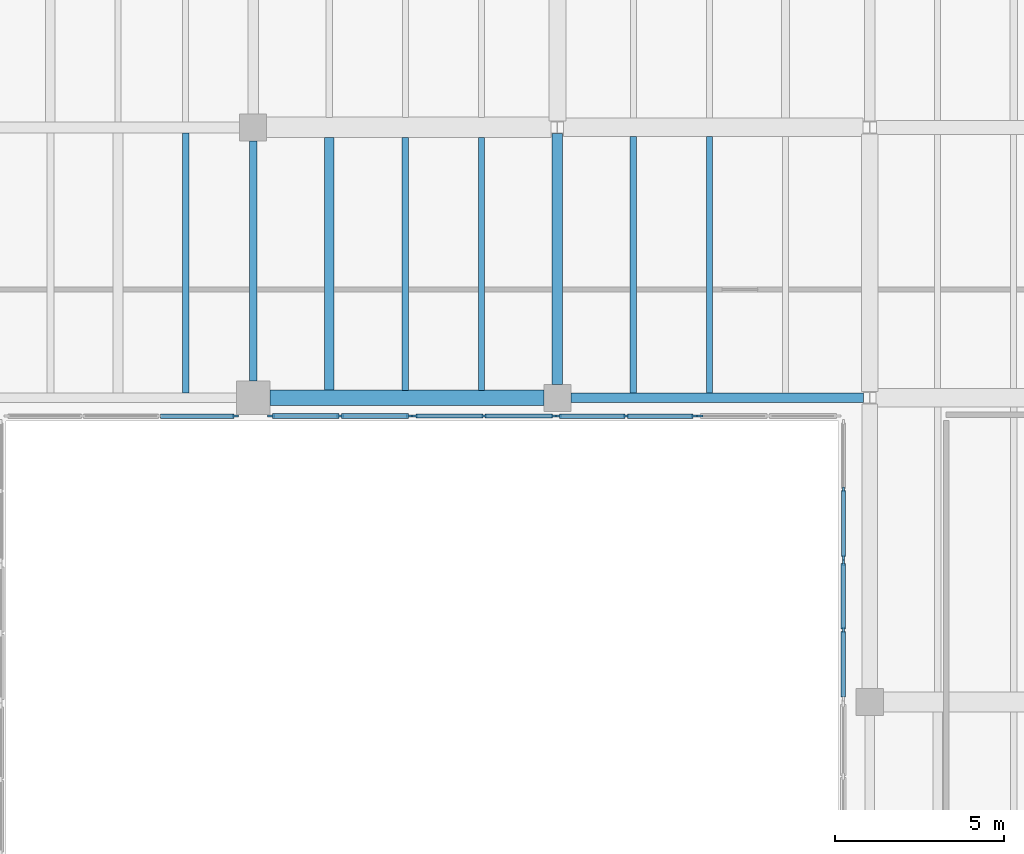
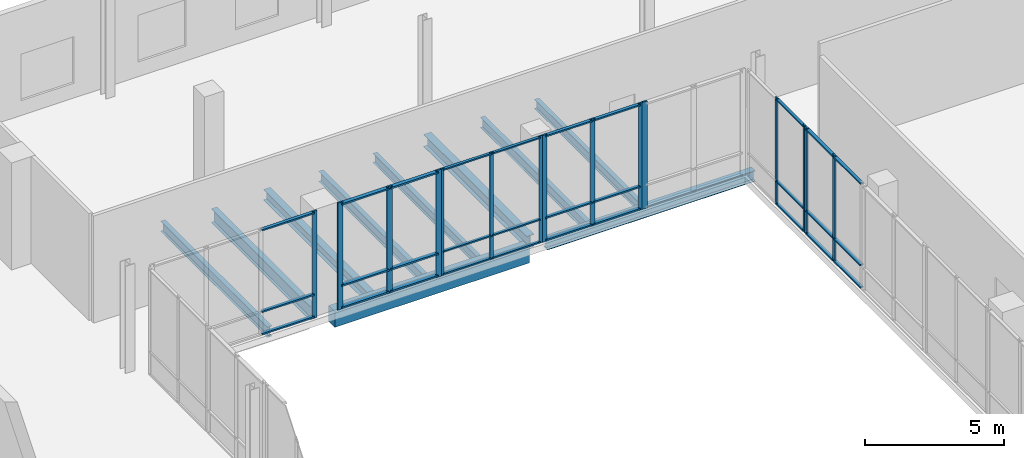
# One storey, part 43 of 73: 45 members, 10 beams, 7 elements without a shape of their own.
"""IFC4 building model written with IfcOpenShell, lengths in metres."""

from ifc_helpers import new_model, si_unit, direction, frame, origin, origin_2d, place, context, subcontext, project, spatial, rectangle, i_section, extrude, material, material_profile, profile_set, type_object, element, aggregate, save


model = new_model("IFC4")

# Units and contexts
model_context = context("Model", 3, precision=1e-05, world=origin(), true_north=direction((0.0, 1.0)))
body_context = subcontext(model_context, "Body", "Model", "MODEL_VIEW")
ifc_project = project(units=[si_unit("LENGTHUNIT", "METRE"), si_unit("AREAUNIT", "SQUARE_METRE"), si_unit("VOLUMEUNIT", "CUBIC_METRE"), si_unit("PLANEANGLEUNIT", "RADIAN"), si_unit("MASSUNIT", "GRAM", prefix="KILO")], contexts=[model_context])

# Site, building, storey
site_placement = place(None, origin())
site = spatial("IfcSite", under=ifc_project, at=site_placement, CompositionType="ELEMENT")
building_placement = place(site_placement, origin())
building = spatial("IfcBuilding", under=site, at=building_placement, Name="Trimount Lyric Opera House", CompositionType="ELEMENT")
storey_placement = place(building_placement, frame((0.0, 0.0, 10.0)))
storey = spatial("IfcBuildingStorey", under=building, at=storey_placement, Name="L02", CompositionType="ELEMENT", Elevation=10.0)

# Beams
ifc_material_1 = material(Name="Steel ASTM A992 Grade 50", Category="steel")
ifc_material_profile_1 = material_profile(ifc_material_1, i_section(OverallWidth=0.22998046875, OverallDepth=0.616943359375, WebThickness=0.01318359375, FlangeThickness=0.022216796875, FilletRadius=0.013916015625, at=origin_2d()), Name="W24X94")
ifc_profile_set_1 = profile_set([ifc_material_profile_1], Name="Steel ASTM A992 Grade 50")
beam_type_1 = type_object("IfcBeamType", Name="B-11", PredefinedType="BEAM", material=ifc_profile_set_1)
beam_1_placement = place(storey_placement, frame((130.0, 102.5, -0.598388671875), z_axis=(0.0, 1.0, 0.0), x_axis=(-1.0, 0.0, 0.0)))
element("IfcBeam", 1, at=beam_1_placement, inside=storey, type_object=beam_type_1, Name="L02 girder Y-0905", PredefinedType="BEAM", context=body_context, shape_type="SweptSolid", body=[
    extrude(i_section(OverallWidth=0.22998046875, OverallDepth=0.616943359375, WebThickness=0.01318359375, FlangeThickness=0.022216796875, FilletRadius=0.013916015625, at=origin_2d()), origin(), (0.0, 0.0, 1.0), 7.10009765625),
])
ifc_material_2 = material(Name="Steel ASTM A992 Grade 50", Category="steel")
ifc_material_profile_2 = material_profile(ifc_material_2, i_section(OverallWidth=0.31201171875, OverallDepth=0.5458984375, WebThickness=0.013916015625, FlangeThickness=0.022216796875, FilletRadius=0.014892578125, at=origin_2d()), Name="W21X111")
ifc_profile_set_2 = profile_set([ifc_material_profile_2], Name="Steel ASTM A992 Grade 50")
beam_type_2 = type_object("IfcBeamType", Name="B-12", PredefinedType="BEAM", material=ifc_profile_set_2)
beam_2_placement = place(storey_placement, frame((139.0, 102.39990234375, -0.56298828125), z_axis=(0.0, 1.0, 0.0), x_axis=(-1.0, 0.0, 0.0)))
element("IfcBeam", 2, at=beam_2_placement, inside=storey, type_object=beam_type_2, Name="L02 girder Y-0907", PredefinedType="BEAM", context=body_context, shape_type="SweptSolid", body=[
    extrude(i_section(OverallWidth=0.31201171875, OverallDepth=0.5458984375, WebThickness=0.013916015625, FlangeThickness=0.022216796875, FilletRadius=0.014892578125, at=origin_2d()), origin(), (0.0, 0.0, 1.0), 7.416015625),
])
ifc_material_3 = material(Name="Steel ASTM A992 Grade 50", Category="steel")
ifc_material_profile_3 = material_profile(ifc_material_3, i_section(OverallWidth=0.281982421875, OverallDepth=0.467041015625, WebThickness=0.01220703125, FlangeThickness=0.01953125, FilletRadius=0.012939453125, at=origin_2d()), Name="W18X86")
ifc_profile_set_3 = profile_set([ifc_material_profile_3], Name="Steel ASTM A992 Grade 50")
beam_type_3 = type_object("IfcBeamType", Name="J-03", PredefinedType="BEAM", material=ifc_profile_set_3)
beam_3_placement = place(storey_placement, frame((132.25, 102.220947265625, -0.5234375), z_axis=(0.0, 1.0, 0.0), x_axis=(-1.0, 0.0, 0.0)))
element("IfcBeam", 3, at=beam_3_placement, inside=storey, type_object=beam_type_3, Name="L02 composite floor joist 0932", PredefinedType="BEAM", context=body_context, shape_type="SweptSolid", body=[
    extrude(i_section(OverallWidth=0.281982421875, OverallDepth=0.467041015625, WebThickness=0.01220703125, FlangeThickness=0.01953125, FilletRadius=0.012939453125, at=origin_2d()), origin(), (0.0, 0.0, 1.0), 7.483154296875),
])
ifc_material_4 = material(Name="Steel ASTM A992 Grade 50", Category="steel")
ifc_material_profile_4 = material_profile(ifc_material_4, i_section(OverallWidth=0.19091796875, OverallDepth=0.45703125, WebThickness=0.009033203125, FlangeThickness=0.014404296875, FilletRadius=0.010986328125, at=origin_2d()), Name="W18X50")
ifc_profile_set_4 = profile_set([ifc_material_profile_4], Name="Steel ASTM A992 Grade 50")
beam_type_4 = type_object("IfcBeamType", Name="J-04", PredefinedType="BEAM", material=ifc_profile_set_4)
beam_4_placement = place(storey_placement, frame((128.0, 102.136962890625, -0.5185546875), z_axis=(0.0, 1.0, 0.0), x_axis=(-1.0, 0.0, 0.0)))
element("IfcBeam", 4, at=beam_4_placement, inside=storey, type_object=beam_type_4, Name="L02 composite floor joist 0928", PredefinedType="BEAM", context=body_context, shape_type="SweptSolid", body=[
    extrude(i_section(OverallWidth=0.19091796875, OverallDepth=0.45703125, WebThickness=0.009033203125, FlangeThickness=0.014404296875, FilletRadius=0.010986328125, at=origin_2d()), origin(), (0.0, 0.0, 1.0), 7.703125),
])
beam_5_placement = place(storey_placement, frame((134.5, 102.220947265625, -0.5185546875), z_axis=(0.0, 1.0, 0.0), x_axis=(-1.0, 0.0, 0.0)))
element("IfcBeam", 5, at=beam_5_placement, inside=storey, type_object=beam_type_4, Name="L02 composite floor joist 0933", PredefinedType="BEAM", context=body_context, shape_type="SweptSolid", body=[
    extrude(i_section(OverallWidth=0.19091796875, OverallDepth=0.45703125, WebThickness=0.009033203125, FlangeThickness=0.014404296875, FilletRadius=0.010986328125, at=origin_2d()), origin(), (0.0, 0.0, 1.0), 7.483154296875),
])
beam_6_placement = place(storey_placement, frame((141.25, 102.136962890625, -0.5185546875), z_axis=(0.0, 1.0, 0.0), x_axis=(-1.0, 0.0, 0.0)))
element("IfcBeam", 6, at=beam_6_placement, inside=storey, type_object=beam_type_4, Name="L02 composite floor joist 0938", PredefinedType="BEAM", context=body_context, shape_type="SweptSolid", body=[
    extrude(i_section(OverallWidth=0.19091796875, OverallDepth=0.45703125, WebThickness=0.009033203125, FlangeThickness=0.014404296875, FilletRadius=0.010986328125, at=origin_2d()), origin(), (0.0, 0.0, 1.0), 7.592041015625),
])
ifc_material_5 = material(Name="Steel ASTM A992 Grade 50", Category="steel")
ifc_material_profile_5 = material_profile(ifc_material_5, i_section(OverallWidth=0.180908203125, OverallDepth=0.4169921875, WebThickness=0.010986328125, FlangeThickness=0.018310546875, FilletRadius=0.010986328125, at=origin_2d()), Name="W16X57")
ifc_profile_set_5 = profile_set([ifc_material_profile_5], Name="Steel ASTM A992 Grade 50")
beam_type_5 = type_object("IfcBeamType", Name="J-05", PredefinedType="BEAM", material=ifc_profile_set_5)
beam_7_placement = place(storey_placement, frame((136.75, 102.220947265625, -0.49853515625), z_axis=(0.0, 1.0, 0.0), x_axis=(-1.0, 0.0, 0.0)))
element("IfcBeam", 7, at=beam_7_placement, inside=storey, type_object=beam_type_5, Name="L02 composite floor joist 0934", PredefinedType="BEAM", context=body_context, shape_type="SweptSolid", body=[
    extrude(i_section(OverallWidth=0.180908203125, OverallDepth=0.4169921875, WebThickness=0.010986328125, FlangeThickness=0.018310546875, FilletRadius=0.010986328125, at=origin_2d()), origin(), (0.0, 0.0, 1.0), 7.483154296875),
])
beam_8_placement = place(storey_placement, frame((143.5, 102.136962890625, -0.49853515625), z_axis=(0.0, 1.0, 0.0), x_axis=(-1.0, 0.0, 0.0)))
element("IfcBeam", 8, at=beam_8_placement, inside=storey, type_object=beam_type_5, Name="L02 composite floor joist 0939", PredefinedType="BEAM", context=body_context, shape_type="SweptSolid", body=[
    extrude(i_section(OverallWidth=0.180908203125, OverallDepth=0.4169921875, WebThickness=0.010986328125, FlangeThickness=0.018310546875, FilletRadius=0.010986328125, at=origin_2d()), origin(), (0.0, 0.0, 1.0), 7.592041015625),
])

# Curtain wall, member
ifc_material_6 = material(Name="Thermally Broken Aluminium and Low-E Glass", Category="aluminium")
curtain_wall_type = type_object("IfcCurtainWallType", Name="CW-03", PredefinedType="NOTDEFINED", material=ifc_material_6)
curtain_wall_1_placement = place(storey_placement, origin())
curtain_wall_1 = element("IfcCurtainWall", 9, at=curtain_wall_1_placement, inside=storey, type_object=curtain_wall_type, Name="L02 curtain wall 234", PredefinedType="NOTDEFINED")
ifc_material_7 = material(Name="Anodised Aluminium 6063-T6", Category="aluminium")
ifc_material_profile_6 = material_profile(ifc_material_7, rectangle(XDim=0.070068359375, YDim=0.219970703125, at=origin_2d()), Name="ALU-MULL-70X220")
ifc_profile_set_6 = profile_set([ifc_material_profile_6], Name="Anodised Aluminium 6063-T6")
member_type_1 = type_object("IfcMemberType", Name="ML-01", PredefinedType="MULLION", material=ifc_profile_set_6)
member_1_placement = place(storey_placement, frame((143.195068359375, 101.4599609375, 0.0), z_axis=(0.0, 0.0, 1.0), x_axis=(0.0, -1.0, 0.0)))
member_1 = element("IfcMember", 10, at=member_1_placement, type_object=member_type_1, Name="CW-03 mullion 3", PredefinedType="MULLION", context=body_context, shape_type="SweptSolid", body=[
    extrude(rectangle(XDim=0.070068359375, YDim=0.219970703125, at=origin_2d()), origin(), (0.0, 0.0, 1.0), 4.7099609375),
])
aggregate(curtain_wall_1, [member_1])

# Curtain wall, members
curtain_wall_2_placement = place(storey_placement, origin())
curtain_wall_2 = element("IfcCurtainWall", 11, at=curtain_wall_2_placement, inside=storey, type_object=curtain_wall_type, Name="L02 curtain wall 237", PredefinedType="NOTDEFINED")
member_2_placement = place(storey_placement, frame((134.625, 101.4599609375, 0.0), z_axis=(0.0, 0.0, 1.0), x_axis=(0.0, -1.0, 0.0)))
member_2 = element("IfcMember", 12, at=member_2_placement, type_object=member_type_1, Name="CW-03 mullion 1", PredefinedType="MULLION", context=body_context, shape_type="SweptSolid", body=[
    extrude(rectangle(XDim=0.070068359375, YDim=0.219970703125, at=origin_2d()), origin(), (0.0, 0.0, 1.0), 4.7099609375),
])
member_3_placement = place(storey_placement, frame((132.580078125, 101.4599609375, 0.0), z_axis=(0.0, 0.0, 1.0), x_axis=(0.0, -1.0, 0.0)))
member_3 = element("IfcMember", 13, at=member_3_placement, type_object=member_type_1, Name="CW-03 mullion 2", PredefinedType="MULLION", context=body_context, shape_type="SweptSolid", body=[
    extrude(rectangle(XDim=0.070068359375, YDim=0.219970703125, at=origin_2d()), origin(), (0.0, 0.0, 1.0), 4.7099609375),
])
member_4_placement = place(storey_placement, frame((130.534912109375, 101.4599609375, 0.0), z_axis=(0.0, 0.0, 1.0), x_axis=(0.0, -1.0, 0.0)))
member_4 = element("IfcMember", 14, at=member_4_placement, type_object=member_type_1, Name="CW-03 mullion 3", PredefinedType="MULLION", context=body_context, shape_type="SweptSolid", body=[
    extrude(rectangle(XDim=0.070068359375, YDim=0.219970703125, at=origin_2d()), origin(), (0.0, 0.0, 1.0), 4.7099609375),
])

curtain_wall_3_placement = place(storey_placement, origin())
curtain_wall_3 = element("IfcCurtainWall", 15, at=curtain_wall_3_placement, inside=storey, type_object=curtain_wall_type, Name="L02 curtain wall 232", PredefinedType="NOTDEFINED")
ifc_material_8 = material(Name="Anodised Aluminium 6063-T6", Category="aluminium")
ifc_material_profile_7 = material_profile(ifc_material_8, rectangle(XDim=0.06494140625, YDim=0.179931640625, at=origin_2d()), Name="ALU-MULL-65X180")
ifc_profile_set_7 = profile_set([ifc_material_profile_7], Name="Anodised Aluminium 6063-T6")
member_type_2 = type_object("IfcMemberType", Name="ML-02", PredefinedType="MULLION", material=ifc_profile_set_7)
member_5_placement = place(storey_placement, frame((147.4599609375, 95.125, 0.0), z_axis=(0.0, 0.0, 1.0), x_axis=(-1.0, 0.0, 0.0)))
member_5 = element("IfcMember", 16, at=member_5_placement, type_object=member_type_2, Name="CW-03 mullion 2", PredefinedType="MULLION", context=body_context, shape_type="SweptSolid", body=[
    extrude(rectangle(XDim=0.06494140625, YDim=0.179931640625, at=origin_2d()), origin(), (0.0, 0.0, 1.0), 4.7099609375),
])
member_6_placement = place(storey_placement, frame((147.4599609375, 97.12744140625, 0.0), z_axis=(0.0, 0.0, 1.0), x_axis=(-1.0, 0.0, 0.0)))
member_6 = element("IfcMember", 17, at=member_6_placement, type_object=member_type_2, Name="CW-03 mullion 3", PredefinedType="MULLION", context=body_context, shape_type="SweptSolid", body=[
    extrude(rectangle(XDim=0.06494140625, YDim=0.179931640625, at=origin_2d()), origin(), (0.0, 0.0, 1.0), 4.7099609375),
])

curtain_wall_4_placement = place(storey_placement, origin())
curtain_wall_4 = element("IfcCurtainWall", 18, at=curtain_wall_4_placement, inside=storey, type_object=curtain_wall_type, Name="L02 curtain wall 235", PredefinedType="NOTDEFINED")
member_7_placement = place(storey_placement, frame((143.03759765625, 101.4599609375, 0.0), z_axis=(0.0, 0.0, 1.0), x_axis=(0.0, -1.0, 0.0)))
member_7 = element("IfcMember", 19, at=member_7_placement, type_object=member_type_2, Name="CW-03 mullion 1", PredefinedType="MULLION", context=body_context, shape_type="SweptSolid", body=[
    extrude(rectangle(XDim=0.06494140625, YDim=0.179931640625, at=origin_2d()), origin(), (0.0, 0.0, 1.0), 4.7099609375),
])
member_8_placement = place(storey_placement, frame((141.034912109375, 101.4599609375, 0.0), z_axis=(0.0, 0.0, 1.0), x_axis=(0.0, -1.0, 0.0)))
member_8 = element("IfcMember", 20, at=member_8_placement, type_object=member_type_2, Name="CW-03 mullion 2", PredefinedType="MULLION", context=body_context, shape_type="SweptSolid", body=[
    extrude(rectangle(XDim=0.06494140625, YDim=0.179931640625, at=origin_2d()), origin(), (0.0, 0.0, 1.0), 4.7099609375),
])
member_9_placement = place(storey_placement, frame((139.032470703125, 101.4599609375, 0.0), z_axis=(0.0, 0.0, 1.0), x_axis=(0.0, -1.0, 0.0)))
member_9 = element("IfcMember", 21, at=member_9_placement, type_object=member_type_2, Name="CW-03 mullion 3", PredefinedType="MULLION", context=body_context, shape_type="SweptSolid", body=[
    extrude(rectangle(XDim=0.06494140625, YDim=0.179931640625, at=origin_2d()), origin(), (0.0, 0.0, 1.0), 4.7099609375),
])

# Curtain wall, member
curtain_wall_5_placement = place(storey_placement, origin())
curtain_wall_5 = element("IfcCurtainWall", 22, at=curtain_wall_5_placement, inside=storey, type_object=curtain_wall_type, Name="L02 curtain wall 238", PredefinedType="NOTDEFINED")
member_10_placement = place(storey_placement, frame((129.467529296875, 101.4599609375, 0.0), z_axis=(0.0, 0.0, 1.0), x_axis=(0.0, -1.0, 0.0)))
member_10 = element("IfcMember", 23, at=member_10_placement, type_object=member_type_2, Name="CW-03 mullion 1", PredefinedType="MULLION", context=body_context, shape_type="SweptSolid", body=[
    extrude(rectangle(XDim=0.06494140625, YDim=0.179931640625, at=origin_2d()), origin(), (0.0, 0.0, 1.0), 4.7099609375),
])

# Curtain wall, members
curtain_wall_6_placement = place(storey_placement, origin())
curtain_wall_6 = element("IfcCurtainWall", 24, at=curtain_wall_6_placement, inside=storey, type_object=curtain_wall_type, Name="L02 curtain wall 233", PredefinedType="NOTDEFINED")
ifc_material_9 = material(Name="Anodised Aluminium 6063-T6", Category="aluminium")
ifc_material_profile_8 = material_profile(ifc_material_9, rectangle(XDim=0.06005859375, YDim=0.14990234375, at=origin_2d()), Name="ALU-MULL-60X150")
ifc_profile_set_8 = profile_set([ifc_material_profile_8], Name="Anodised Aluminium 6063-T6")
member_type_3 = type_object("IfcMemberType", Name="ML-03", PredefinedType="MULLION", material=ifc_profile_set_8)
member_11_placement = place(storey_placement, frame((147.4599609375, 97.280029296875, 0.0), z_axis=(0.0, 0.0, 1.0), x_axis=(-1.0, 0.0, 0.0)))
member_11 = element("IfcMember", 25, at=member_11_placement, type_object=member_type_3, Name="CW-03 mullion 1", PredefinedType="MULLION", context=body_context, shape_type="SweptSolid", body=[
    extrude(rectangle(XDim=0.06005859375, YDim=0.14990234375, at=origin_2d()), origin(), (0.0, 0.0, 1.0), 4.7099609375),
])
member_12_placement = place(storey_placement, frame((147.4599609375, 99.284912109375, 0.0), z_axis=(0.0, 0.0, 1.0), x_axis=(-1.0, 0.0, 0.0)))
member_12 = element("IfcMember", 26, at=member_12_placement, type_object=member_type_3, Name="CW-03 mullion 2", PredefinedType="MULLION", context=body_context, shape_type="SweptSolid", body=[
    extrude(rectangle(XDim=0.06005859375, YDim=0.14990234375, at=origin_2d()), origin(), (0.0, 0.0, 1.0), 4.7099609375),
])

curtain_wall_7_placement = place(storey_placement, origin())
curtain_wall_7 = element("IfcCurtainWall", 27, at=curtain_wall_7_placement, inside=storey, type_object=curtain_wall_type, Name="L02 curtain wall 236", PredefinedType="NOTDEFINED")
member_13_placement = place(storey_placement, frame((138.8798828125, 101.4599609375, 0.0), z_axis=(0.0, 0.0, 1.0), x_axis=(0.0, -1.0, 0.0)))
member_13 = element("IfcMember", 28, at=member_13_placement, type_object=member_type_3, Name="CW-03 mullion 1", PredefinedType="MULLION", context=body_context, shape_type="SweptSolid", body=[
    extrude(rectangle(XDim=0.06005859375, YDim=0.14990234375, at=origin_2d()), origin(), (0.0, 0.0, 1.0), 4.7099609375),
])
member_14_placement = place(storey_placement, frame((136.830078125, 101.4599609375, 0.0), z_axis=(0.0, 0.0, 1.0), x_axis=(0.0, -1.0, 0.0)))
member_14 = element("IfcMember", 29, at=member_14_placement, type_object=member_type_3, Name="CW-03 mullion 2", PredefinedType="MULLION", context=body_context, shape_type="SweptSolid", body=[
    extrude(rectangle(XDim=0.06005859375, YDim=0.14990234375, at=origin_2d()), origin(), (0.0, 0.0, 1.0), 4.7099609375),
])
member_15_placement = place(storey_placement, frame((134.780029296875, 101.4599609375, 0.0), z_axis=(0.0, 0.0, 1.0), x_axis=(0.0, -1.0, 0.0)))
member_15 = element("IfcMember", 30, at=member_15_placement, type_object=member_type_3, Name="CW-03 mullion 3", PredefinedType="MULLION", context=body_context, shape_type="SweptSolid", body=[
    extrude(rectangle(XDim=0.06005859375, YDim=0.14990234375, at=origin_2d()), origin(), (0.0, 0.0, 1.0), 4.7099609375),
])

# Beams
ifc_material_10 = material(Name="Steel ASTM A992 Grade 50", Category="steel")
ifc_material_profile_9 = material_profile(ifc_material_10, i_section(OverallWidth=0.281982421875, OverallDepth=0.467041015625, WebThickness=0.01220703125, FlangeThickness=0.01953125, FilletRadius=0.012939453125, at=origin_2d()), Name="W18X86")
ifc_profile_set_9 = profile_set([ifc_material_profile_9], Name="Steel ASTM A992 Grade 50")
beam_type_6 = type_object("IfcBeamType", Name="SP-01", PredefinedType="SPANDREL", material=ifc_profile_set_9)
beam_9_placement = place(storey_placement, frame((139.39990234375, 102.0, -0.5234375), z_axis=(1.0, 0.0, 0.0), x_axis=(0.0, 1.0, 0.0)))
element("IfcBeam", 31, at=beam_9_placement, inside=storey, type_object=beam_type_6, Name="L02 girder X-0797", PredefinedType="SPANDREL", context=body_context, shape_type="SweptSolid", body=[
    extrude(i_section(OverallWidth=0.281982421875, OverallDepth=0.467041015625, WebThickness=0.01220703125, FlangeThickness=0.01953125, FilletRadius=0.012939453125, at=origin_2d()), origin(), (0.0, 0.0, 1.0), 8.653564453125),
])
ifc_material_11 = material(Name="Concrete C40/50", Category="concrete")
ifc_material_profile_10 = material_profile(ifc_material_11, rectangle(XDim=0.449951171875, YDim=0.699951171875, at=origin_2d()), Name="RC450X700")
ifc_profile_set_10 = profile_set([ifc_material_profile_10], Name="Concrete C40/50")
beam_type_7 = type_object("IfcBeamType", Name="SP-02", PredefinedType="SPANDREL", material=ifc_profile_set_10)
beam_10_placement = place(storey_placement, frame((130.5, 102.0, -0.639892578125), z_axis=(1.0, 0.0, 0.0), x_axis=(0.0, 1.0, 0.0)))
element("IfcBeam", 32, at=beam_10_placement, inside=storey, type_object=beam_type_7, Name="L02 girder X-0796", PredefinedType="SPANDREL", context=body_context, shape_type="SweptSolid", body=[
    extrude(rectangle(XDim=0.449951171875, YDim=0.699951171875, at=origin_2d()), origin(), (0.0, 0.0, 1.0), 8.10009765625),
])

# Member
ifc_material_12 = material(Name="Anodised Aluminium 6063-T6", Category="aluminium")
ifc_material_profile_11 = material_profile(ifc_material_12, rectangle(XDim=0.159912109375, YDim=0.070068359375, at=origin_2d()), Name="ALU-TRAN-70X160")
ifc_profile_set_11 = profile_set([ifc_material_profile_11], Name="Anodised Aluminium 6063-T6")
member_type_4 = type_object("IfcMemberType", Name="TR-01", PredefinedType="USERDEFINED", material=ifc_profile_set_11)
member_16_placement = place(storey_placement, frame((134.590087890625, 101.4599609375, 0.080078125), z_axis=(-1.0, 0.0, 0.0), x_axis=(0.0, -1.0, 0.0)))
member_16 = element("IfcMember", 33, at=member_16_placement, type_object=member_type_4, Name="CW-03 transom 1.1", ObjectType="TRANSOM", PredefinedType="USERDEFINED", context=body_context, shape_type="SweptSolid", body=[
    extrude(rectangle(XDim=0.159912109375, YDim=0.070068359375, at=origin_2d()), origin(), (0.0, 0.0, 1.0), 1.97509765625),
])

member_17_placement = place(storey_placement, frame((134.590087890625, 101.4599609375, 1.050048828125), z_axis=(-1.0, 0.0, 0.0), x_axis=(0.0, -1.0, 0.0)))
member_17 = element("IfcMember", 34, at=member_17_placement, type_object=member_type_4, Name="CW-03 transom 1.2", ObjectType="TRANSOM", PredefinedType="USERDEFINED", context=body_context, shape_type="SweptSolid", body=[
    extrude(rectangle(XDim=0.159912109375, YDim=0.070068359375, at=origin_2d()), origin(), (0.0, 0.0, 1.0), 1.97509765625),
])

member_18_placement = place(storey_placement, frame((134.590087890625, 101.4599609375, 4.6298828125), z_axis=(-1.0, 0.0, 0.0), x_axis=(0.0, -1.0, 0.0)))
member_18 = element("IfcMember", 35, at=member_18_placement, type_object=member_type_4, Name="CW-03 transom 1.3", ObjectType="TRANSOM", PredefinedType="USERDEFINED", context=body_context, shape_type="SweptSolid", body=[
    extrude(rectangle(XDim=0.159912109375, YDim=0.070068359375, at=origin_2d()), origin(), (0.0, 0.0, 1.0), 1.97509765625),
])

member_19_placement = place(storey_placement, frame((132.544921875, 101.4599609375, 0.080078125), z_axis=(-1.0, 0.0, 0.0), x_axis=(0.0, -1.0, 0.0)))
member_19 = element("IfcMember", 36, at=member_19_placement, type_object=member_type_4, Name="CW-03 transom 2.1", ObjectType="TRANSOM", PredefinedType="USERDEFINED", context=body_context, shape_type="SweptSolid", body=[
    extrude(rectangle(XDim=0.159912109375, YDim=0.070068359375, at=origin_2d()), origin(), (0.0, 0.0, 1.0), 1.974853515625),
])

member_20_placement = place(storey_placement, frame((132.544921875, 101.4599609375, 1.050048828125), z_axis=(-1.0, 0.0, 0.0), x_axis=(0.0, -1.0, 0.0)))
member_20 = element("IfcMember", 37, at=member_20_placement, type_object=member_type_4, Name="CW-03 transom 2.2", ObjectType="TRANSOM", PredefinedType="USERDEFINED", context=body_context, shape_type="SweptSolid", body=[
    extrude(rectangle(XDim=0.159912109375, YDim=0.070068359375, at=origin_2d()), origin(), (0.0, 0.0, 1.0), 1.974853515625),
])

member_21_placement = place(storey_placement, frame((132.544921875, 101.4599609375, 4.6298828125), z_axis=(-1.0, 0.0, 0.0), x_axis=(0.0, -1.0, 0.0)))
member_21 = element("IfcMember", 38, at=member_21_placement, type_object=member_type_4, Name="CW-03 transom 2.3", ObjectType="TRANSOM", PredefinedType="USERDEFINED", context=body_context, shape_type="SweptSolid", body=[
    extrude(rectangle(XDim=0.159912109375, YDim=0.070068359375, at=origin_2d()), origin(), (0.0, 0.0, 1.0), 1.974853515625),
])

aggregate(curtain_wall_2, [member_2, member_3, member_4, member_16, member_17, member_18, member_19, member_20, member_21])

ifc_material_13 = material(Name="Anodised Aluminium 6063-T6", Category="aluminium")
ifc_material_profile_12 = material_profile(ifc_material_13, rectangle(XDim=0.135009765625, YDim=0.06494140625, at=origin_2d()), Name="ALU-TRAN-65X135")
ifc_profile_set_12 = profile_set([ifc_material_profile_12], Name="Anodised Aluminium 6063-T6")
member_type_5 = type_object("IfcMemberType", Name="TR-02", PredefinedType="USERDEFINED", material=ifc_profile_set_12)
member_22_placement = place(storey_placement, frame((147.4599609375, 93.155029296875, 0.0673828125), z_axis=(0.0, 1.0, 0.0), x_axis=(-1.0, 0.0, 0.0)))
member_22 = element("IfcMember", 39, at=member_22_placement, type_object=member_type_5, Name="CW-03 transom 1.1", ObjectType="TRANSOM", PredefinedType="USERDEFINED", context=body_context, shape_type="SweptSolid", body=[
    extrude(rectangle(XDim=0.135009765625, YDim=0.06494140625, at=origin_2d()), origin(), (0.0, 0.0, 1.0), 1.9375),
])

member_23_placement = place(storey_placement, frame((147.4599609375, 93.155029296875, 1.050048828125), z_axis=(0.0, 1.0, 0.0), x_axis=(-1.0, 0.0, 0.0)))
member_23 = element("IfcMember", 40, at=member_23_placement, type_object=member_type_5, Name="CW-03 transom 1.2", ObjectType="TRANSOM", PredefinedType="USERDEFINED", context=body_context, shape_type="SweptSolid", body=[
    extrude(rectangle(XDim=0.135009765625, YDim=0.06494140625, at=origin_2d()), origin(), (0.0, 0.0, 1.0), 1.9375),
])

member_24_placement = place(storey_placement, frame((147.4599609375, 93.155029296875, 4.642578125), z_axis=(0.0, 1.0, 0.0), x_axis=(-1.0, 0.0, 0.0)))
member_24 = element("IfcMember", 41, at=member_24_placement, type_object=member_type_5, Name="CW-03 transom 1.3", ObjectType="TRANSOM", PredefinedType="USERDEFINED", context=body_context, shape_type="SweptSolid", body=[
    extrude(rectangle(XDim=0.135009765625, YDim=0.06494140625, at=origin_2d()), origin(), (0.0, 0.0, 1.0), 1.9375),
])

member_25_placement = place(storey_placement, frame((147.4599609375, 95.157470703125, 0.0673828125), z_axis=(0.0, 1.0, 0.0), x_axis=(-1.0, 0.0, 0.0)))
member_25 = element("IfcMember", 42, at=member_25_placement, type_object=member_type_5, Name="CW-03 transom 2.1", ObjectType="TRANSOM", PredefinedType="USERDEFINED", context=body_context, shape_type="SweptSolid", body=[
    extrude(rectangle(XDim=0.135009765625, YDim=0.06494140625, at=origin_2d()), origin(), (0.0, 0.0, 1.0), 1.9375),
])

member_26_placement = place(storey_placement, frame((147.4599609375, 95.157470703125, 1.050048828125), z_axis=(0.0, 1.0, 0.0), x_axis=(-1.0, 0.0, 0.0)))
member_26 = element("IfcMember", 43, at=member_26_placement, type_object=member_type_5, Name="CW-03 transom 2.2", ObjectType="TRANSOM", PredefinedType="USERDEFINED", context=body_context, shape_type="SweptSolid", body=[
    extrude(rectangle(XDim=0.135009765625, YDim=0.06494140625, at=origin_2d()), origin(), (0.0, 0.0, 1.0), 1.9375),
])

member_27_placement = place(storey_placement, frame((147.4599609375, 95.157470703125, 4.642578125), z_axis=(0.0, 1.0, 0.0), x_axis=(-1.0, 0.0, 0.0)))
member_27 = element("IfcMember", 44, at=member_27_placement, type_object=member_type_5, Name="CW-03 transom 2.3", ObjectType="TRANSOM", PredefinedType="USERDEFINED", context=body_context, shape_type="SweptSolid", body=[
    extrude(rectangle(XDim=0.135009765625, YDim=0.06494140625, at=origin_2d()), origin(), (0.0, 0.0, 1.0), 1.9375),
])

aggregate(curtain_wall_3, [member_5, member_6, member_22, member_23, member_24, member_25, member_26, member_27])

member_28_placement = place(storey_placement, frame((143.0048828125, 101.4599609375, 0.0673828125), z_axis=(-1.0, 0.0, 0.0), x_axis=(0.0, -1.0, 0.0)))
member_28 = element("IfcMember", 45, at=member_28_placement, type_object=member_type_5, Name="CW-03 transom 1.1", ObjectType="TRANSOM", PredefinedType="USERDEFINED", context=body_context, shape_type="SweptSolid", body=[
    extrude(rectangle(XDim=0.135009765625, YDim=0.06494140625, at=origin_2d()), origin(), (0.0, 0.0, 1.0), 1.9375),
])

member_29_placement = place(storey_placement, frame((143.0048828125, 101.4599609375, 1.050048828125), z_axis=(-1.0, 0.0, 0.0), x_axis=(0.0, -1.0, 0.0)))
member_29 = element("IfcMember", 46, at=member_29_placement, type_object=member_type_5, Name="CW-03 transom 1.2", ObjectType="TRANSOM", PredefinedType="USERDEFINED", context=body_context, shape_type="SweptSolid", body=[
    extrude(rectangle(XDim=0.135009765625, YDim=0.06494140625, at=origin_2d()), origin(), (0.0, 0.0, 1.0), 1.9375),
])

member_30_placement = place(storey_placement, frame((143.0048828125, 101.4599609375, 4.642578125), z_axis=(-1.0, 0.0, 0.0), x_axis=(0.0, -1.0, 0.0)))
member_30 = element("IfcMember", 47, at=member_30_placement, type_object=member_type_5, Name="CW-03 transom 1.3", ObjectType="TRANSOM", PredefinedType="USERDEFINED", context=body_context, shape_type="SweptSolid", body=[
    extrude(rectangle(XDim=0.135009765625, YDim=0.06494140625, at=origin_2d()), origin(), (0.0, 0.0, 1.0), 1.9375),
])

member_31_placement = place(storey_placement, frame((141.00244140625, 101.4599609375, 0.0673828125), z_axis=(-1.0, 0.0, 0.0), x_axis=(0.0, -1.0, 0.0)))
member_31 = element("IfcMember", 48, at=member_31_placement, type_object=member_type_5, Name="CW-03 transom 2.1", ObjectType="TRANSOM", PredefinedType="USERDEFINED", context=body_context, shape_type="SweptSolid", body=[
    extrude(rectangle(XDim=0.135009765625, YDim=0.06494140625, at=origin_2d()), origin(), (0.0, 0.0, 1.0), 1.9375),
])

member_32_placement = place(storey_placement, frame((141.00244140625, 101.4599609375, 1.050048828125), z_axis=(-1.0, 0.0, 0.0), x_axis=(0.0, -1.0, 0.0)))
member_32 = element("IfcMember", 49, at=member_32_placement, type_object=member_type_5, Name="CW-03 transom 2.2", ObjectType="TRANSOM", PredefinedType="USERDEFINED", context=body_context, shape_type="SweptSolid", body=[
    extrude(rectangle(XDim=0.135009765625, YDim=0.06494140625, at=origin_2d()), origin(), (0.0, 0.0, 1.0), 1.9375),
])

member_33_placement = place(storey_placement, frame((141.00244140625, 101.4599609375, 4.642578125), z_axis=(-1.0, 0.0, 0.0), x_axis=(0.0, -1.0, 0.0)))
member_33 = element("IfcMember", 50, at=member_33_placement, type_object=member_type_5, Name="CW-03 transom 2.3", ObjectType="TRANSOM", PredefinedType="USERDEFINED", context=body_context, shape_type="SweptSolid", body=[
    extrude(rectangle(XDim=0.135009765625, YDim=0.06494140625, at=origin_2d()), origin(), (0.0, 0.0, 1.0), 1.9375),
])

aggregate(curtain_wall_4, [member_7, member_8, member_9, member_28, member_29, member_30, member_31, member_32, member_33])

member_34_placement = place(storey_placement, frame((129.43505859375, 101.4599609375, 0.0673828125), z_axis=(-1.0, 0.0, 0.0), x_axis=(0.0, -1.0, 0.0)))
member_34 = element("IfcMember", 51, at=member_34_placement, type_object=member_type_5, Name="CW-03 transom 1.1", ObjectType="TRANSOM", PredefinedType="USERDEFINED", context=body_context, shape_type="SweptSolid", body=[
    extrude(rectangle(XDim=0.135009765625, YDim=0.06494140625, at=origin_2d()), origin(), (0.0, 0.0, 1.0), 2.17578125),
])

member_35_placement = place(storey_placement, frame((129.43505859375, 101.4599609375, 1.050048828125), z_axis=(-1.0, 0.0, 0.0), x_axis=(0.0, -1.0, 0.0)))
member_35 = element("IfcMember", 52, at=member_35_placement, type_object=member_type_5, Name="CW-03 transom 1.2", ObjectType="TRANSOM", PredefinedType="USERDEFINED", context=body_context, shape_type="SweptSolid", body=[
    extrude(rectangle(XDim=0.135009765625, YDim=0.06494140625, at=origin_2d()), origin(), (0.0, 0.0, 1.0), 2.17578125),
])

member_36_placement = place(storey_placement, frame((129.43505859375, 101.4599609375, 4.642578125), z_axis=(-1.0, 0.0, 0.0), x_axis=(0.0, -1.0, 0.0)))
member_36 = element("IfcMember", 53, at=member_36_placement, type_object=member_type_5, Name="CW-03 transom 1.3", ObjectType="TRANSOM", PredefinedType="USERDEFINED", context=body_context, shape_type="SweptSolid", body=[
    extrude(rectangle(XDim=0.135009765625, YDim=0.06494140625, at=origin_2d()), origin(), (0.0, 0.0, 1.0), 2.17578125),
])

aggregate(curtain_wall_5, [member_10, member_34, member_35, member_36])

ifc_material_14 = material(Name="Anodised Aluminium 6063-T6", Category="aluminium")
ifc_material_profile_13 = material_profile(ifc_material_14, rectangle(XDim=0.114990234375, YDim=0.06005859375, at=origin_2d()), Name="ALU-TRAN-60X115")
ifc_profile_set_13 = profile_set([ifc_material_profile_13], Name="Anodised Aluminium 6063-T6")
member_type_6 = type_object("IfcMemberType", Name="TR-03", PredefinedType="USERDEFINED", material=ifc_profile_set_13)
member_37_placement = place(storey_placement, frame((147.4599609375, 97.31005859375, 0.0576171875), z_axis=(0.0, 1.0, 0.0), x_axis=(-1.0, 0.0, 0.0)))
member_37 = element("IfcMember", 54, at=member_37_placement, type_object=member_type_6, Name="CW-03 transom 1.1", ObjectType="TRANSOM", PredefinedType="USERDEFINED", context=body_context, shape_type="SweptSolid", body=[
    extrude(rectangle(XDim=0.114990234375, YDim=0.06005859375, at=origin_2d()), origin(), (0.0, 0.0, 1.0), 1.94482421875),
])

member_38_placement = place(storey_placement, frame((147.4599609375, 97.31005859375, 1.050048828125), z_axis=(0.0, 1.0, 0.0), x_axis=(-1.0, 0.0, 0.0)))
member_38 = element("IfcMember", 55, at=member_38_placement, type_object=member_type_6, Name="CW-03 transom 1.2", ObjectType="TRANSOM", PredefinedType="USERDEFINED", context=body_context, shape_type="SweptSolid", body=[
    extrude(rectangle(XDim=0.114990234375, YDim=0.06005859375, at=origin_2d()), origin(), (0.0, 0.0, 1.0), 1.94482421875),
])

member_39_placement = place(storey_placement, frame((147.4599609375, 97.31005859375, 4.652587890625), z_axis=(0.0, 1.0, 0.0), x_axis=(-1.0, 0.0, 0.0)))
member_39 = element("IfcMember", 56, at=member_39_placement, type_object=member_type_6, Name="CW-03 transom 1.3", ObjectType="TRANSOM", PredefinedType="USERDEFINED", context=body_context, shape_type="SweptSolid", body=[
    extrude(rectangle(XDim=0.114990234375, YDim=0.06005859375, at=origin_2d()), origin(), (0.0, 0.0, 1.0), 1.94482421875),
])

aggregate(curtain_wall_6, [member_11, member_12, member_37, member_38, member_39])

member_40_placement = place(storey_placement, frame((138.85009765625, 101.4599609375, 0.0576171875), z_axis=(-1.0, 0.0, 0.0), x_axis=(0.0, -1.0, 0.0)))
member_40 = element("IfcMember", 57, at=member_40_placement, type_object=member_type_6, Name="CW-03 transom 1.1", ObjectType="TRANSOM", PredefinedType="USERDEFINED", context=body_context, shape_type="SweptSolid", body=[
    extrude(rectangle(XDim=0.114990234375, YDim=0.06005859375, at=origin_2d()), origin(), (0.0, 0.0, 1.0), 1.989990234375),
])

member_41_placement = place(storey_placement, frame((138.85009765625, 101.4599609375, 1.050048828125), z_axis=(-1.0, 0.0, 0.0), x_axis=(0.0, -1.0, 0.0)))
member_41 = element("IfcMember", 58, at=member_41_placement, type_object=member_type_6, Name="CW-03 transom 1.2", ObjectType="TRANSOM", PredefinedType="USERDEFINED", context=body_context, shape_type="SweptSolid", body=[
    extrude(rectangle(XDim=0.114990234375, YDim=0.06005859375, at=origin_2d()), origin(), (0.0, 0.0, 1.0), 1.989990234375),
])

member_42_placement = place(storey_placement, frame((138.85009765625, 101.4599609375, 4.652587890625), z_axis=(-1.0, 0.0, 0.0), x_axis=(0.0, -1.0, 0.0)))
member_42 = element("IfcMember", 59, at=member_42_placement, type_object=member_type_6, Name="CW-03 transom 1.3", ObjectType="TRANSOM", PredefinedType="USERDEFINED", context=body_context, shape_type="SweptSolid", body=[
    extrude(rectangle(XDim=0.114990234375, YDim=0.06005859375, at=origin_2d()), origin(), (0.0, 0.0, 1.0), 1.989990234375),
])

member_43_placement = place(storey_placement, frame((136.800048828125, 101.4599609375, 0.0576171875), z_axis=(-1.0, 0.0, 0.0), x_axis=(0.0, -1.0, 0.0)))
member_43 = element("IfcMember", 60, at=member_43_placement, type_object=member_type_6, Name="CW-03 transom 2.1", ObjectType="TRANSOM", PredefinedType="USERDEFINED", context=body_context, shape_type="SweptSolid", body=[
    extrude(rectangle(XDim=0.114990234375, YDim=0.06005859375, at=origin_2d()), origin(), (0.0, 0.0, 1.0), 1.989990234375),
])

member_44_placement = place(storey_placement, frame((136.800048828125, 101.4599609375, 1.050048828125), z_axis=(-1.0, 0.0, 0.0), x_axis=(0.0, -1.0, 0.0)))
member_44 = element("IfcMember", 61, at=member_44_placement, type_object=member_type_6, Name="CW-03 transom 2.2", ObjectType="TRANSOM", PredefinedType="USERDEFINED", context=body_context, shape_type="SweptSolid", body=[
    extrude(rectangle(XDim=0.114990234375, YDim=0.06005859375, at=origin_2d()), origin(), (0.0, 0.0, 1.0), 1.989990234375),
])

member_45_placement = place(storey_placement, frame((136.800048828125, 101.4599609375, 4.652587890625), z_axis=(-1.0, 0.0, 0.0), x_axis=(0.0, -1.0, 0.0)))
member_45 = element("IfcMember", 62, at=member_45_placement, type_object=member_type_6, Name="CW-03 transom 2.3", ObjectType="TRANSOM", PredefinedType="USERDEFINED", context=body_context, shape_type="SweptSolid", body=[
    extrude(rectangle(XDim=0.114990234375, YDim=0.06005859375, at=origin_2d()), origin(), (0.0, 0.0, 1.0), 1.989990234375),
])

aggregate(curtain_wall_7, [member_13, member_14, member_15, member_40, member_41, member_42, member_43, member_44, member_45])

save(model, "model.ifc")
